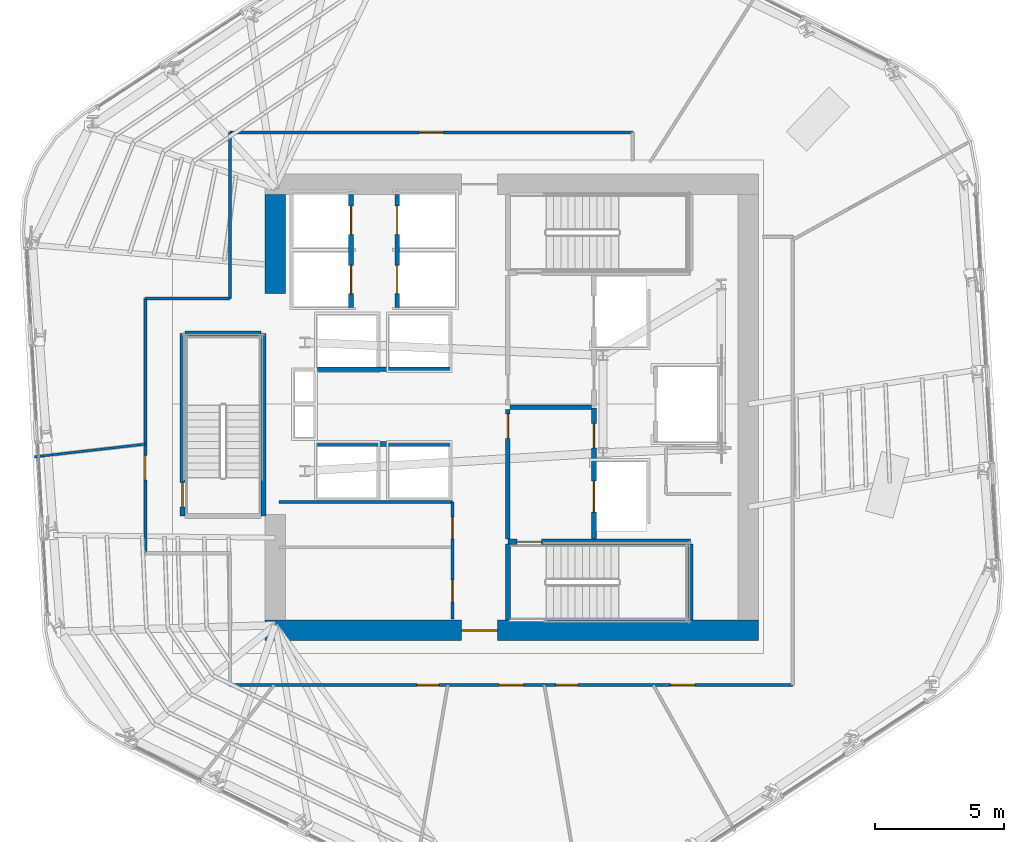
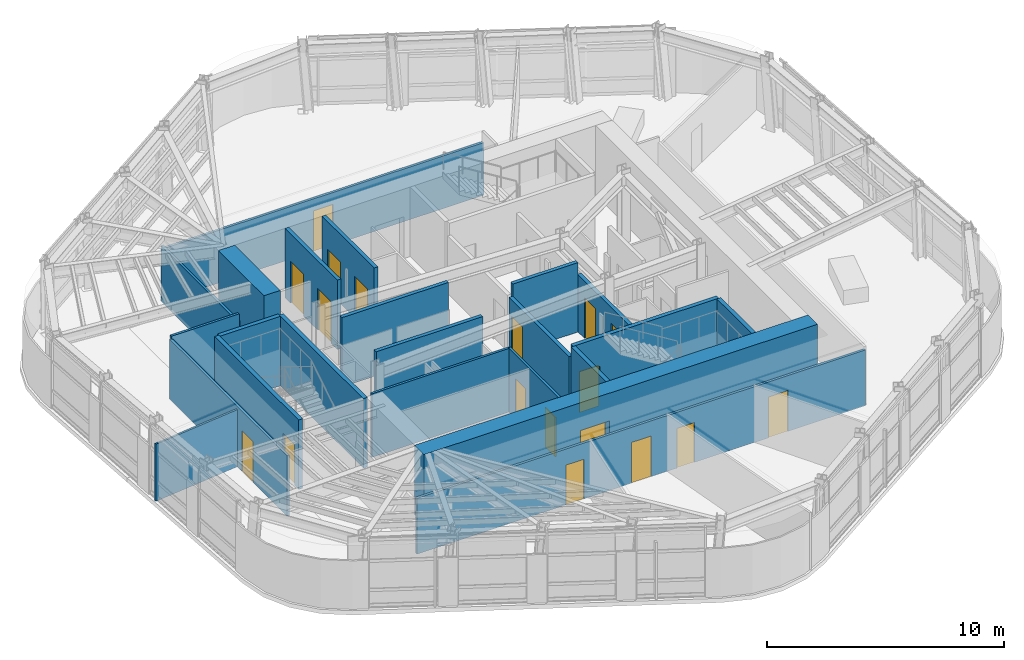
# One storey, part 8 of 15: 23 walls, 18 doors, 18 openings.
"""IFC4 building model written with IfcOpenShell, lengths in metres."""

from ifc_helpers import new_model, si_unit, direction, frame, frame_2d, origin, place, context, subcontext, project, spatial, rectangle, extrude, material, layer, layer_set, type_object, element, fill, save


model = new_model("IFC4")

# Units and contexts
model_context = context("Model", 3, precision=1e-05, world=origin(), true_north=direction((0.0, 1.0)))
body_context = subcontext(model_context, "Body", "Model", "MODEL_VIEW")
ifc_project = project(units=[si_unit("LENGTHUNIT", "METRE"), si_unit("AREAUNIT", "SQUARE_METRE"), si_unit("VOLUMEUNIT", "CUBIC_METRE"), si_unit("PLANEANGLEUNIT", "RADIAN"), si_unit("MASSUNIT", "GRAM", prefix="KILO")], contexts=[model_context])

# Site, building, storey
site_placement = place(None, origin())
site = spatial("IfcSite", under=ifc_project, at=site_placement, CompositionType="ELEMENT")
building_placement = place(site_placement, origin())
building = spatial("IfcBuilding", under=site, at=building_placement, Name="Valkerne Bourse Tower", CompositionType="ELEMENT")
storey_placement = place(building_placement, frame((0.0, 0.0, 166.60009765625)))
storey = spatial("IfcBuildingStorey", under=building, at=storey_placement, Name="L42", CompositionType="ELEMENT", Elevation=166.60009765625)

# Wall, opening, door
ifc_material_1 = material(Name="Concrete C55/67", Category="concrete")
ifc_layer_1 = layer(ifc_material_1, 0.800048828125)
ifc_layer_set_1 = layer_set([ifc_layer_1], Name="Concrete C55/67")
wall_type_1 = type_object("IfcWallType", Name="W-CORE-800", PredefinedType="SHEAR", material=ifc_layer_set_1)
wall_1_placement = place(storey_placement, frame((37.199951171875, 18.199951171875, 0.0), z_axis=(0.0, 0.0, 1.0), x_axis=(1.0, 0.0, 0.0)))
wall_1 = element("IfcWall", 1, at=wall_1_placement, inside=storey, type_object=wall_type_1, Name="L42 Core Shear Wall SOUTH", PredefinedType="SHEAR", context=body_context, shape_type="SweptSolid", body=[
    extrude(rectangle(XDim=19.199951171875, YDim=0.800048828125, at=frame_2d((9.60009765625, 0.0))), origin(), (0.0, 0.0, 1.0), 3.579833984375),
])
opening_1_placement = place(wall_1_placement, frame((7.64990234375, 0.0, 0.0)))
opening_1 = element("IfcOpeningElement", 2, at=opening_1_placement, cuts=wall_1, Name="Opening D-PL-1400", PredefinedType="OPENING", context=body_context, shape_type="SweptSolid", body=[
    extrude(rectangle(XDim=1.39990234375, YDim=2.14990234375, at=frame_2d((0.699951171875, 1.074951171875))), frame((0.0, 0.409912109375, 0.0), z_axis=(0.0, -1.0, 0.0), x_axis=(1.0, 0.0, 0.0)), (0.0, 0.0, 1.0), 0.820068359375),
])
ifc_material_2 = material(Name="Galvanised Painted Steel", Category="steel")
door_type_1 = type_object("IfcDoorType", Name="DR-PLT-1400", OperationType="DOUBLE_DOOR_SINGLE_SWING", PredefinedType="DOOR", material=ifc_material_2)
door_1_placement = place(opening_1_placement, origin())
door_1 = element("IfcDoor", 3, at=door_1_placement, inside=storey, type_object=door_type_1, Name="L42 South Passenger Lift Hall Fire Door", OperationType="DOUBLE_DOOR_SINGLE_SWING", OverallHeight=2.14990234375, OverallWidth=1.39990234375, PredefinedType="DOOR", context=body_context, shape_type="SweptSolid", body=[
    extrude(rectangle(XDim=1.39990234375, YDim=2.14990234375, at=frame_2d((0.699951171875, 1.074951171875))), frame((0.0, 0.02490234375, 0.0), z_axis=(0.0, -1.0, 0.0), x_axis=(1.0, 0.0, 0.0)), (0.0, 0.0, 1.0), 0.050048828125),
])
fill(opening_1, door_1)

# Wall
wall_2_placement = place(storey_placement, frame((37.60009765625, 31.300048828125, 0.0), z_axis=(0.0, 0.0, 1.0), x_axis=(0.0, 1.0, 0.0)))
element("IfcWall", 4, at=wall_2_placement, inside=storey, type_object=wall_type_1, Name="L42 Core Shear Wall WEST-N", PredefinedType="SHEAR", context=body_context, shape_type="SweptSolid", body=[
    extrude(rectangle(XDim=3.849853515625, YDim=0.800048828125, at=frame_2d((1.9248046875, 0.0))), origin(), (0.0, 0.0, 1.0), 3.579833984375),
])

# Wall, openings, doors
ifc_material_3 = material(Name="Gypsum Board Steel-Stud Partition", Category="steel")
ifc_layer_2 = layer(ifc_material_3, 0.117919921875)
ifc_layer_set_2 = layer_set([ifc_layer_2], Name="Gypsum Board Steel-Stud Partition")
wall_type_2 = type_object("IfcWallType", Name="W-CORR-140", PredefinedType="PARTITIONING", material=ifc_layer_set_2)
wall_3_placement = place(storey_placement, frame((44.5, 18.64990234375, 0.0), z_axis=(0.0, 0.0, 1.0), x_axis=(0.0, 1.0, 0.0)))
wall_3 = element("IfcWall", 5, at=wall_3_placement, inside=storey, type_object=wall_type_2, Name="L42 LV7 Low-Bank East Wall", PredefinedType="PARTITIONING", context=body_context, shape_type="SweptSolid", body=[
    extrude(rectangle(XDim=4.550048828125, YDim=0.117919921875, at=frame_2d((2.27490234375, 0.0))), origin(), (0.0, 0.0, 1.0), 3.27978515625),
])
opening_2_placement = place(wall_3_placement, frame((0.64990234375, 0.0, 0.0)))
opening_2 = element("IfcOpeningElement", 6, at=opening_2_placement, cuts=wall_3, Name="Opening D-WC-900", PredefinedType="OPENING", context=body_context, shape_type="SweptSolid", body=[
    extrude(rectangle(XDim=0.860107421875, YDim=2.050048828125, at=frame_2d((0.43017578125, 1.02490234375))), frame((0.0, 0.06884765625, 0.0), z_axis=(0.0, -1.0, 0.0), x_axis=(1.0, 0.0, 0.0)), (0.0, 0.0, 1.0), 0.137939453125),
])
opening_3_placement = place(wall_3_placement, frame((3.10009765625, 0.0, 0.0)))
opening_3 = element("IfcOpeningElement", 7, at=opening_3_placement, cuts=wall_3, Name="Opening D-WC-900", PredefinedType="OPENING", context=body_context, shape_type="SweptSolid", body=[
    extrude(rectangle(XDim=0.860107421875, YDim=2.050048828125, at=frame_2d((0.43017578125, 1.02490234375))), frame((0.0, 0.06884765625, 0.0), z_axis=(0.0, -1.0, 0.0), x_axis=(1.0, 0.0, 0.0)), (0.0, 0.0, 1.0), 0.137939453125),
])
ifc_material_4 = material(Name="Architectural White Oak Timber", Category="wood")
door_type_2 = type_object("IfcDoorType", Name="DR-WC-900", OperationType="NOTDEFINED", PredefinedType="DOOR", material=ifc_material_4)
door_2_placement = place(opening_2_placement, origin())
door_2 = element("IfcDoor", 8, at=door_2_placement, inside=storey, type_object=door_type_2, Name="L42 Reprographics Office Door", OperationType="SINGLE_SWING_RIGHT", OverallHeight=2.050048828125, OverallWidth=0.860107421875, PredefinedType="DOOR", context=body_context, shape_type="SweptSolid", body=[
    extrude(rectangle(XDim=0.860107421875, YDim=2.050048828125, at=frame_2d((0.43017578125, 1.02490234375))), frame((0.0, 0.02490234375, 0.0), z_axis=(0.0, -1.0, 0.0), x_axis=(1.0, 0.0, 0.0)), (0.0, 0.0, 1.0), 0.050048828125),
])
fill(opening_2, door_2)
door_3_placement = place(opening_3_placement, origin())
door_3 = element("IfcDoor", 9, at=door_3_placement, inside=storey, type_object=door_type_2, Name="L42 First Aid Clinic Door", OperationType="SINGLE_SWING_RIGHT", OverallHeight=2.050048828125, OverallWidth=0.860107421875, PredefinedType="DOOR", context=body_context, shape_type="SweptSolid", body=[
    extrude(rectangle(XDim=0.860107421875, YDim=2.050048828125, at=frame_2d((0.43017578125, 1.02490234375))), frame((0.0, 0.02490234375, 0.0), z_axis=(0.0, -1.0, 0.0), x_axis=(1.0, 0.0, 0.0)), (0.0, 0.0, 1.0), 0.050048828125),
])
fill(opening_3, door_3)

# Wall
wall_4_placement = place(storey_placement, frame((37.75, 23.199951171875, 0.0), z_axis=(0.0, 0.0, 1.0), x_axis=(1.0, 0.0, 0.0)))
element("IfcWall", 10, at=wall_4_placement, inside=storey, type_object=wall_type_2, Name="L42 LV7 Low-Bank North Wall", PredefinedType="PARTITIONING", context=body_context, shape_type="SweptSolid", body=[
    extrude(rectangle(XDim=6.75, YDim=0.117919921875, at=frame_2d((3.375, 0.0))), origin(), (0.0, 0.0, 1.0), 3.27978515625),
])

# Wall, opening, door
wall_5_placement = place(storey_placement, frame((32.550048828125, 21.199951171875, 0.0), z_axis=(0.0, 0.0, 1.0), x_axis=(0.0, 1.0, 0.0)))
wall_5 = element("IfcWall", 11, at=wall_5_placement, inside=storey, type_object=wall_type_2, Name="L42 Corridor Enclosure Wall", PredefinedType="PARTITIONING", context=body_context, shape_type="SweptSolid", body=[
    extrude(rectangle(XDim=9.900146484375, YDim=0.117919921875, at=frame_2d((4.9501953125, 0.0))), origin(), (0.0, 0.0, 1.0), 3.11279296875),
])
opening_4_placement = place(wall_5_placement, frame((2.85498046875, 0.0, 0.0)))
opening_4 = element("IfcOpeningElement", 12, at=opening_4_placement, cuts=wall_5, Name="Opening D-OF-950", PredefinedType="OPENING", context=body_context, shape_type="SweptSolid", body=[
    extrude(rectangle(XDim=0.949951171875, YDim=2.10009765625, at=frame_2d((0.47509765625, 1.050048828125))), frame((0.0, 0.06884765625, 0.0), z_axis=(0.0, -1.0, 0.0), x_axis=(1.0, 0.0, 0.0)), (0.0, 0.0, 1.0), 0.137939453125),
])
door_type_3 = type_object("IfcDoorType", Name="DR-OFF-950", OperationType="NOTDEFINED", PredefinedType="DOOR", material=ifc_material_4)
door_4_placement = place(opening_4_placement, origin())
door_4 = element("IfcDoor", 13, at=door_4_placement, inside=storey, type_object=door_type_3, Name="L42 L42 Hospitality Catering Kitchen 4 Door", OperationType="SINGLE_SWING_LEFT", OverallHeight=2.10009765625, OverallWidth=0.949951171875, PredefinedType="DOOR", context=body_context, shape_type="SweptSolid", body=[
    extrude(rectangle(XDim=0.949951171875, YDim=2.10009765625, at=frame_2d((0.47509765625, 1.050048828125))), frame((0.0, 0.02490234375, 0.0), z_axis=(0.0, -1.0, 0.0), x_axis=(1.0, 0.0, 0.0)), (0.0, 0.0, 1.0), 0.050048828125),
])
fill(opening_4, door_4)

# Walls
wall_6_placement = place(storey_placement, frame((32.550048828125, 31.10009765625, 0.0), z_axis=(0.0, 0.0, 1.0), x_axis=(1.0, 0.0, 0.0)))
element("IfcWall", 14, at=wall_6_placement, inside=storey, type_object=wall_type_2, Name="L42 Corridor Enclosure Wall", PredefinedType="PARTITIONING", context=body_context, shape_type="SweptSolid", body=[
    extrude(rectangle(XDim=3.300048828125, YDim=0.117919921875, at=frame_2d((1.64990234375, 0.0))), origin(), (0.0, 0.0, 1.0), 3.27978515625),
])
wall_7_placement = place(storey_placement, frame((35.85009765625, 31.10009765625, 0.0), z_axis=(0.0, 0.0, 1.0), x_axis=(0.0, 1.0, 0.0)))
element("IfcWall", 15, at=wall_7_placement, inside=storey, type_object=wall_type_2, Name="L42 Corridor Enclosure Wall", PredefinedType="PARTITIONING", context=body_context, shape_type="SweptSolid", body=[
    extrude(rectangle(XDim=6.4599609375, YDim=0.117919921875, at=frame_2d((3.22998046875, 0.0))), origin(), (0.0, 0.0, 1.0), 2.87646484375),
])

# Wall, opening, door
wall_8_placement = place(storey_placement, frame((35.85009765625, 37.56005859375, 0.0), z_axis=(0.0, 0.0, 1.0), x_axis=(1.0, 0.0, 0.0)))
wall_8 = element("IfcWall", 16, at=wall_8_placement, inside=storey, type_object=wall_type_2, Name="L42 Corridor Enclosure Wall", PredefinedType="PARTITIONING", context=body_context, shape_type="SweptSolid", body=[
    extrude(rectangle(XDim=15.64990234375, YDim=0.117919921875, at=frame_2d((7.824951171875, 0.0))), origin(), (0.0, 0.0, 1.0), 2.71142578125),
])
opening_5_placement = place(wall_8_placement, frame((7.35009765625, 0.0, 0.0)))
opening_5 = element("IfcOpeningElement", 17, at=opening_5_placement, cuts=wall_8, Name="Opening D-OF-950", PredefinedType="OPENING", context=body_context, shape_type="SweptSolid", body=[
    extrude(rectangle(XDim=0.949951171875, YDim=2.10009765625, at=frame_2d((0.47509765625, 1.050048828125))), frame((0.0, 0.06884765625, 0.0), z_axis=(0.0, -1.0, 0.0), x_axis=(1.0, 0.0, 0.0)), (0.0, 0.0, 1.0), 0.137939453125),
])
door_5_placement = place(opening_5_placement, origin())
door_5 = element("IfcDoor", 18, at=door_5_placement, inside=storey, type_object=door_type_3, Name="L42 L42 Occupational Wellness Clinic 7 Door", OperationType="SINGLE_SWING_LEFT", OverallHeight=2.10009765625, OverallWidth=0.949951171875, PredefinedType="DOOR", context=body_context, shape_type="SweptSolid", body=[
    extrude(rectangle(XDim=0.949951171875, YDim=2.10009765625, at=frame_2d((0.47509765625, 1.050048828125))), frame((0.0, 0.02490234375, 0.0), z_axis=(0.0, -1.0, 0.0), x_axis=(1.0, 0.0, 0.0)), (0.0, 0.0, 1.0), 0.050048828125),
])
fill(opening_5, door_5)

# Wall, openings, doors
wall_9_placement = place(storey_placement, frame((57.719970703125, 16.080078125, 0.0), z_axis=(0.0, 0.0, 1.0), x_axis=(-1.0, 0.0, 0.0)))
wall_9 = element("IfcWall", 19, at=wall_9_placement, inside=storey, type_object=wall_type_2, Name="L42 Corridor Enclosure Wall", PredefinedType="PARTITIONING", context=body_context, shape_type="SweptSolid", body=[
    extrude(rectangle(XDim=21.869873046875, YDim=0.117919921875, at=frame_2d((10.93505859375, 0.0))), origin(), (0.0, 0.0, 1.0), 2.87646484375),
])
opening_6_placement = place(wall_9_placement, frame((8.344970703125, 0.0, 0.0)))
opening_6 = element("IfcOpeningElement", 20, at=opening_6_placement, cuts=wall_9, Name="Opening D-WC-900", PredefinedType="OPENING", context=body_context, shape_type="SweptSolid", body=[
    extrude(rectangle(XDim=0.860107421875, YDim=2.050048828125, at=frame_2d((0.43017578125, 1.02490234375))), frame((0.0, 0.06884765625, 0.0), z_axis=(0.0, -1.0, 0.0), x_axis=(1.0, 0.0, 0.0)), (0.0, 0.0, 1.0), 0.137939453125),
])
opening_7_placement = place(wall_9_placement, frame((13.7451171875, 0.0, 0.0)))
opening_7 = element("IfcOpeningElement", 21, at=opening_7_placement, cuts=wall_9, Name="Opening D-WC-900", PredefinedType="OPENING", context=body_context, shape_type="SweptSolid", body=[
    extrude(rectangle(XDim=0.860107421875, YDim=2.050048828125, at=frame_2d((0.43017578125, 1.02490234375))), frame((0.0, 0.06884765625, 0.0), z_axis=(0.0, -1.0, 0.0), x_axis=(1.0, 0.0, 0.0)), (0.0, 0.0, 1.0), 0.137939453125),
])
opening_8_placement = place(wall_9_placement, frame((10.4599609375, 0.0, 0.0)))
opening_8 = element("IfcOpeningElement", 22, at=opening_8_placement, cuts=wall_9, Name="Opening D-OF-950", PredefinedType="OPENING", context=body_context, shape_type="SweptSolid", body=[
    extrude(rectangle(XDim=0.949951171875, YDim=2.10009765625, at=frame_2d((0.47509765625, 1.050048828125))), frame((0.0, 0.06884765625, 0.0), z_axis=(0.0, -1.0, 0.0), x_axis=(1.0, 0.0, 0.0)), (0.0, 0.0, 1.0), 0.137939453125),
])
opening_9_placement = place(wall_9_placement, frame((3.800048828125, 0.0, 0.0)))
opening_9 = element("IfcOpeningElement", 23, at=opening_9_placement, cuts=wall_9, Name="Opening D-OF-950", PredefinedType="OPENING", context=body_context, shape_type="SweptSolid", body=[
    extrude(rectangle(XDim=0.949951171875, YDim=2.10009765625, at=frame_2d((0.47509765625, 1.050048828125))), frame((0.0, 0.06884765625, 0.0), z_axis=(0.0, -1.0, 0.0), x_axis=(1.0, 0.0, 0.0)), (0.0, 0.0, 1.0), 0.137939453125),
])
door_6_placement = place(opening_8_placement, origin())
door_6 = element("IfcDoor", 24, at=door_6_placement, inside=storey, type_object=door_type_3, Name="L42 L42 Hospitality Catering Kitchen 3 Door", OperationType="SINGLE_SWING_LEFT", OverallHeight=2.10009765625, OverallWidth=0.949951171875, PredefinedType="DOOR", context=body_context, shape_type="SweptSolid", body=[
    extrude(rectangle(XDim=0.949951171875, YDim=2.10009765625, at=frame_2d((0.47509765625, 1.050048828125))), frame((0.0, 0.02490234375, 0.0), z_axis=(0.0, -1.0, 0.0), x_axis=(1.0, 0.0, 0.0)), (0.0, 0.0, 1.0), 0.050048828125),
])
fill(opening_8, door_6)
door_7_placement = place(opening_9_placement, origin())
door_7 = element("IfcDoor", 25, at=door_7_placement, inside=storey, type_object=door_type_3, Name="L42 L42 Executive Advisory Suite Office 6 Door", OperationType="SINGLE_SWING_LEFT", OverallHeight=2.10009765625, OverallWidth=0.949951171875, PredefinedType="DOOR", context=body_context, shape_type="SweptSolid", body=[
    extrude(rectangle(XDim=0.949951171875, YDim=2.10009765625, at=frame_2d((0.47509765625, 1.050048828125))), frame((0.0, 0.02490234375, 0.0), z_axis=(0.0, -1.0, 0.0), x_axis=(1.0, 0.0, 0.0)), (0.0, 0.0, 1.0), 0.050048828125),
])
fill(opening_9, door_7)
door_8_placement = place(opening_6_placement, origin())
door_8 = element("IfcDoor", 26, at=door_8_placement, inside=storey, type_object=door_type_2, Name="L42 L42 Men Bathroom WC 1 Door", OperationType="SINGLE_SWING_RIGHT", OverallHeight=2.050048828125, OverallWidth=0.860107421875, PredefinedType="DOOR", context=body_context, shape_type="SweptSolid", body=[
    extrude(rectangle(XDim=0.860107421875, YDim=2.050048828125, at=frame_2d((0.43017578125, 1.02490234375))), frame((0.0, 0.02490234375, 0.0), z_axis=(0.0, -1.0, 0.0), x_axis=(1.0, 0.0, 0.0)), (0.0, 0.0, 1.0), 0.050048828125),
])
fill(opening_6, door_8)
door_9_placement = place(opening_7_placement, origin())
door_9 = element("IfcDoor", 27, at=door_9_placement, inside=storey, type_object=door_type_2, Name="L42 L42 Women Restroom & Shower WC 2 Door", OperationType="SINGLE_SWING_LEFT", OverallHeight=2.050048828125, OverallWidth=0.860107421875, PredefinedType="DOOR", context=body_context, shape_type="SweptSolid", body=[
    extrude(rectangle(XDim=0.860107421875, YDim=2.050048828125, at=frame_2d((0.43017578125, 1.02490234375))), frame((0.0, 0.02490234375, 0.0), z_axis=(0.0, -1.0, 0.0), x_axis=(1.0, 0.0, 0.0)), (0.0, 0.0, 1.0), 0.050048828125),
])
fill(opening_7, door_9)

# Wall
ifc_material_5 = material(Name="Gypsum Fire-Rated Shaftwall", Category="gypsum")
ifc_layer_3 = layer(ifc_material_5, 0.179931640625)
ifc_layer_set_3 = layer_set([ifc_layer_3], Name="Gypsum Fire-Rated Shaftwall")
wall_type_3 = type_object("IfcWallType", Name="W-FSAE-180", PredefinedType="PARTITIONING", material=ifc_layer_set_3)
wall_10_placement = place(storey_placement, frame((46.739990234375, 26.8798828125, 0.0), z_axis=(0.0, 0.0, 1.0), x_axis=(1.0, 0.0, 0.0)))
element("IfcWall", 28, at=wall_10_placement, inside=storey, type_object=wall_type_3, Name="L42 FSAE-1/2 Lobby Dividing Fire Wall", PredefinedType="PARTITIONING", context=body_context, shape_type="SweptSolid", body=[
    extrude(rectangle(XDim=3.169921875, YDim=0.179931640625, at=frame_2d((1.5849609375, 0.0))), origin(), (0.0, 0.0, 1.0), 3.579833984375),
])

# Wall, opening, door
wall_11_placement = place(storey_placement, frame((46.64990234375, 21.75, 0.0), z_axis=(0.0, 0.0, 1.0), x_axis=(0.0, 1.0, 0.0)))
wall_11 = element("IfcWall", 29, at=wall_11_placement, inside=storey, type_object=wall_type_3, Name="L42 FSAE-1 Lobby West Fire Wall", PredefinedType="PARTITIONING", context=body_context, shape_type="SweptSolid", body=[
    extrude(rectangle(XDim=5.050048828125, YDim=0.179931640625, at=frame_2d((2.52490234375, 0.0))), origin(), (0.0, 0.0, 1.0), 2.9580078125),
])
opening_10_placement = place(wall_11_placement, frame((3.919921875, 0.0, 0.0)))
opening_10 = element("IfcOpeningElement", 30, at=opening_10_placement, cuts=wall_11, Name="Opening D-FS-950", PredefinedType="OPENING", context=body_context, shape_type="SweptSolid", body=[
    extrude(rectangle(XDim=0.949951171875, YDim=2.10009765625, at=frame_2d((0.47509765625, 1.050048828125))), frame((0.0, 0.099853515625, 0.0), z_axis=(0.0, -1.0, 0.0), x_axis=(1.0, 0.0, 0.0)), (0.0, 0.0, 1.0), 0.199951171875),
])
door_type_4 = type_object("IfcDoorType", Name="DR-FSAE-950", OperationType="NOTDEFINED", PredefinedType="DOOR", material=ifc_material_2)
door_10_placement = place(opening_10_placement, origin())
door_10 = element("IfcDoor", 31, at=door_10_placement, inside=storey, type_object=door_type_4, Name="L42 FSAE-1 Hall Link Fire Door", OperationType="SINGLE_SWING_RIGHT", OverallHeight=2.10009765625, OverallWidth=0.949951171875, PredefinedType="DOOR", context=body_context, shape_type="SweptSolid", body=[
    extrude(rectangle(XDim=0.949951171875, YDim=2.10009765625, at=frame_2d((0.47509765625, 1.050048828125))), frame((0.0, 0.02490234375, 0.0), z_axis=(0.0, -1.0, 0.0), x_axis=(1.0, 0.0, 0.0)), (0.0, 0.0, 1.0), 0.050048828125),
])
fill(opening_10, door_10)

# Wall, openings, doors
wall_12_placement = place(storey_placement, frame((50.0, 21.75, 0.0), z_axis=(0.0, 0.0, 1.0), x_axis=(0.0, 1.0, 0.0)))
wall_12 = element("IfcWall", 32, at=wall_12_placement, inside=storey, type_object=wall_type_3, Name="L42 FSAE-1 Lobby & Shaft Front Wall", PredefinedType="PARTITIONING", context=body_context, shape_type="SweptSolid", body=[
    extrude(rectangle(XDim=5.090087890625, YDim=0.179931640625, at=frame_2d((2.544921875, 0.0))), origin(), (0.0, 0.0, 1.0), 2.9580078125),
])
opening_11_placement = place(wall_12_placement, frame((1.050048828125, 0.0, 0.0)))
opening_11 = element("IfcOpeningElement", 33, at=opening_11_placement, cuts=wall_12, Name="Opening LD-1200", PredefinedType="OPENING", context=body_context, shape_type="SweptSolid", body=[
    extrude(rectangle(XDim=1.199951171875, YDim=2.14990234375, at=frame_2d((0.60009765625, 1.074951171875))), frame((0.0, 0.099853515625, 0.0), z_axis=(0.0, -1.0, 0.0), x_axis=(1.0, 0.0, 0.0)), (0.0, 0.0, 1.0), 0.199951171875),
])
opening_12_placement = place(wall_12_placement, frame((3.550048828125, 0.0, 0.0)))
opening_12 = element("IfcOpeningElement", 34, at=opening_12_placement, cuts=wall_12, Name="Opening D-FS-950", PredefinedType="OPENING", context=body_context, shape_type="SweptSolid", body=[
    extrude(rectangle(XDim=0.949951171875, YDim=2.10009765625, at=frame_2d((0.47509765625, 1.050048828125))), frame((0.0, 0.099853515625, 0.0), z_axis=(0.0, -1.0, 0.0), x_axis=(1.0, 0.0, 0.0)), (0.0, 0.0, 1.0), 0.199951171875),
])
door_11_placement = place(opening_12_placement, origin())
door_11 = element("IfcDoor", 35, at=door_11_placement, inside=storey, type_object=door_type_4, Name="L42 FSAE-1 Lobby Corridor Fire Door", OperationType="SINGLE_SWING_RIGHT", OverallHeight=2.10009765625, OverallWidth=0.949951171875, PredefinedType="DOOR", context=body_context, shape_type="SweptSolid", body=[
    extrude(rectangle(XDim=0.949951171875, YDim=2.10009765625, at=frame_2d((0.47509765625, 1.050048828125))), frame((0.0, 0.02490234375, 0.0), z_axis=(0.0, -1.0, 0.0), x_axis=(1.0, 0.0, 0.0)), (0.0, 0.0, 1.0), 0.050048828125),
])
fill(opening_12, door_11)
ifc_material_6 = material(Name="Stainless Steel AISI 316", Category="steel")
door_type_5 = type_object("IfcDoorType", Name="DR-LIFT-1200", OperationType="DOUBLE_DOOR_SLIDING", PredefinedType="DOOR", material=ifc_material_6)
door_12_placement = place(opening_11_placement, origin())
door_12 = element("IfcDoor", 36, at=door_12_placement, inside=storey, type_object=door_type_5, Name="L42 FSAE-1 Firefighting Lift Landing Door", OperationType="DOUBLE_DOOR_SLIDING", OverallHeight=2.14990234375, OverallWidth=1.199951171875, PredefinedType="DOOR", context=body_context, shape_type="SweptSolid", body=[
    extrude(rectangle(XDim=1.199951171875, YDim=2.14990234375, at=frame_2d((0.60009765625, 1.074951171875))), frame((0.0, 0.02490234375, 0.0), z_axis=(0.0, -1.0, 0.0), x_axis=(1.0, 0.0, 0.0)), (0.0, 0.0, 1.0), 0.050048828125),
])
fill(opening_11, door_12)

ifc_material_7 = material(Name="CMU Blockwork Masonry 200mm", Category="masonry")
ifc_layer_4 = layer(ifc_material_7, 0.179931640625)
ifc_layer_set_4 = layer_set([ifc_layer_4], Name="CMU Blockwork Masonry 200mm")
wall_type_4 = type_object("IfcWallType", Name="W-LFT-180", PredefinedType="SOLIDWALL", material=ifc_layer_set_4)
wall_13_placement = place(storey_placement, frame((40.550048828125, 30.75, 0.0), z_axis=(0.0, 0.0, 1.0), x_axis=(0.0, 1.0, 0.0)))
wall_13 = element("IfcWall", 37, at=wall_13_placement, inside=storey, type_object=wall_type_4, Name="L42 Mid-Zone West Cars Front Wall", PredefinedType="SOLIDWALL", context=body_context, shape_type="SweptSolid", body=[
    extrude(rectangle(XDim=4.39990234375, YDim=0.179931640625, at=frame_2d((2.199951171875, 0.0))), origin(), (0.0, 0.0, 1.0), 3.579833984375),
])
opening_13_placement = place(wall_13_placement, frame((0.550048828125, 0.0, 0.0)))
opening_13 = element("IfcOpeningElement", 38, at=opening_13_placement, cuts=wall_13, Name="Opening LD-1100", PredefinedType="OPENING", context=body_context, shape_type="SweptSolid", body=[
    extrude(rectangle(XDim=1.10009765625, YDim=2.14990234375, at=frame_2d((0.550048828125, 1.074951171875))), frame((0.0, 0.099853515625, 0.0), z_axis=(0.0, -1.0, 0.0), x_axis=(1.0, 0.0, 0.0)), (0.0, 0.0, 1.0), 0.199951171875),
])
opening_14_placement = place(wall_13_placement, frame((2.85009765625, 0.0, 0.0)))
opening_14 = element("IfcOpeningElement", 39, at=opening_14_placement, cuts=wall_13, Name="Opening LD-1100", PredefinedType="OPENING", context=body_context, shape_type="SweptSolid", body=[
    extrude(rectangle(XDim=1.10009765625, YDim=2.14990234375, at=frame_2d((0.550048828125, 1.074951171875))), frame((0.0, 0.099853515625, 0.0), z_axis=(0.0, -1.0, 0.0), x_axis=(1.0, 0.0, 0.0)), (0.0, 0.0, 1.0), 0.199951171875),
])
door_type_6 = type_object("IfcDoorType", Name="DR-LIFT-1100", OperationType="DOUBLE_DOOR_SLIDING", PredefinedType="DOOR", material=ifc_material_6)
door_13_placement = place(opening_13_placement, origin())
door_13 = element("IfcDoor", 40, at=door_13_placement, inside=storey, type_object=door_type_6, Name="L42 Passenger Lift PL-M1 Sliding Landing Door", OperationType="DOUBLE_DOOR_SLIDING", OverallHeight=2.14990234375, OverallWidth=1.10009765625, PredefinedType="DOOR", context=body_context, shape_type="SweptSolid", body=[
    extrude(rectangle(XDim=1.10009765625, YDim=2.14990234375, at=frame_2d((0.550048828125, 1.074951171875))), frame((0.0, 0.02490234375, 0.0), z_axis=(0.0, -1.0, 0.0), x_axis=(1.0, 0.0, 0.0)), (0.0, 0.0, 1.0), 0.050048828125),
])
fill(opening_13, door_13)
door_14_placement = place(opening_14_placement, origin())
door_14 = element("IfcDoor", 41, at=door_14_placement, inside=storey, type_object=door_type_6, Name="L42 Passenger Lift PL-M2 Sliding Landing Door", OperationType="DOUBLE_DOOR_SLIDING", OverallHeight=2.14990234375, OverallWidth=1.10009765625, PredefinedType="DOOR", context=body_context, shape_type="SweptSolid", body=[
    extrude(rectangle(XDim=1.10009765625, YDim=2.14990234375, at=frame_2d((0.550048828125, 1.074951171875))), frame((0.0, 0.02490234375, 0.0), z_axis=(0.0, -1.0, 0.0), x_axis=(1.0, 0.0, 0.0)), (0.0, 0.0, 1.0), 0.050048828125),
])
fill(opening_14, door_14)

wall_14_placement = place(storey_placement, frame((42.35009765625, 30.75, 0.0), z_axis=(0.0, 0.0, 1.0), x_axis=(0.0, 1.0, 0.0)))
wall_14 = element("IfcWall", 42, at=wall_14_placement, inside=storey, type_object=wall_type_4, Name="L42 Mid-Zone East Cars Front Wall", PredefinedType="SOLIDWALL", context=body_context, shape_type="SweptSolid", body=[
    extrude(rectangle(XDim=4.39990234375, YDim=0.179931640625, at=frame_2d((2.199951171875, 0.0))), origin(), (0.0, 0.0, 1.0), 3.579833984375),
])
opening_15_placement = place(wall_14_placement, frame((0.550048828125, 0.0, 0.0)))
opening_15 = element("IfcOpeningElement", 43, at=opening_15_placement, cuts=wall_14, Name="Opening LD-1100", PredefinedType="OPENING", context=body_context, shape_type="SweptSolid", body=[
    extrude(rectangle(XDim=1.10009765625, YDim=2.14990234375, at=frame_2d((0.550048828125, 1.074951171875))), frame((0.0, 0.099853515625, 0.0), z_axis=(0.0, -1.0, 0.0), x_axis=(1.0, 0.0, 0.0)), (0.0, 0.0, 1.0), 0.199951171875),
])
opening_16_placement = place(wall_14_placement, frame((2.85009765625, 0.0, 0.0)))
opening_16 = element("IfcOpeningElement", 44, at=opening_16_placement, cuts=wall_14, Name="Opening LD-1100", PredefinedType="OPENING", context=body_context, shape_type="SweptSolid", body=[
    extrude(rectangle(XDim=1.10009765625, YDim=2.14990234375, at=frame_2d((0.550048828125, 1.074951171875))), frame((0.0, 0.099853515625, 0.0), z_axis=(0.0, -1.0, 0.0), x_axis=(1.0, 0.0, 0.0)), (0.0, 0.0, 1.0), 0.199951171875),
])
door_15_placement = place(opening_15_placement, origin())
door_15 = element("IfcDoor", 45, at=door_15_placement, inside=storey, type_object=door_type_6, Name="L42 Passenger Lift PL-M3 Sliding Landing Door", OperationType="DOUBLE_DOOR_SLIDING", OverallHeight=2.14990234375, OverallWidth=1.10009765625, PredefinedType="DOOR", context=body_context, shape_type="SweptSolid", body=[
    extrude(rectangle(XDim=1.10009765625, YDim=2.14990234375, at=frame_2d((0.550048828125, 1.074951171875))), frame((0.0, 0.02490234375, 0.0), z_axis=(0.0, -1.0, 0.0), x_axis=(1.0, 0.0, 0.0)), (0.0, 0.0, 1.0), 0.050048828125),
])
fill(opening_15, door_15)
door_16_placement = place(opening_16_placement, origin())
door_16 = element("IfcDoor", 46, at=door_16_placement, inside=storey, type_object=door_type_6, Name="L42 Passenger Lift PL-M4 Sliding Landing Door", OperationType="DOUBLE_DOOR_SLIDING", OverallHeight=2.14990234375, OverallWidth=1.10009765625, PredefinedType="DOOR", context=body_context, shape_type="SweptSolid", body=[
    extrude(rectangle(XDim=1.10009765625, YDim=2.14990234375, at=frame_2d((0.550048828125, 1.074951171875))), frame((0.0, 0.02490234375, 0.0), z_axis=(0.0, -1.0, 0.0), x_axis=(1.0, 0.0, 0.0)), (0.0, 0.0, 1.0), 0.050048828125),
])
fill(opening_16, door_16)

# Walls
for number, where, z_axis, x_axis, name in (
    (47, (39.25, 25.449951171875, 0.0), (0.0, 0.0, 1.0), (1.0, 0.0, 0.0), "L42 High-Zone South Cars Front Wall"),
    (48, (39.25, 28.35009765625, 0.0), (0.0, 0.0, 1.0), (1.0, 0.0, 0.0), "L42 High-Zone North Cars Front Wall"),
):
    element("IfcWall", number, at=place(storey_placement, frame(where, z_axis=z_axis, x_axis=x_axis)), inside=storey, type_object=wall_type_4, Name=name, PredefinedType="SOLIDWALL", context=body_context, shape_type="SweptSolid", body=[
        extrude(rectangle(XDim=5.199951171875, YDim=0.179931640625, at=frame_2d((2.60009765625, 0.0))), origin(), (0.0, 0.0, 1.0), 3.579833984375),
    ])
ifc_layer_5 = layer(ifc_material_3, 0.092041015625)
ifc_layer_set_5 = layer_set([ifc_layer_5], Name="Gypsum Board Steel-Stud Partition")
wall_type_5 = type_object("IfcWallType", Name="W-PART-115", PredefinedType="PARTITIONING", material=ifc_layer_set_5)
wall_15_placement = place(storey_placement, frame((32.544921875, 25.441162109375, 0.0), z_axis=(0.0, 0.0, 1.0), x_axis=(-0.993547374261, -0.113417878212, 0.0)))
element("IfcWall", 49, at=wall_15_placement, inside=storey, type_object=wall_type_5, Name="L42 Suite Partition P06", PredefinedType="PARTITIONING", context=body_context, shape_type="SweptSolid", body=[
    extrude(rectangle(XDim=4.333251953125, YDim=0.092041015625, at=frame_2d((2.16650390625, 0.0))), origin(), (0.0, 0.0, 1.0), 2.9423828125),
])

# Wall, opening, door
ifc_material_8 = material(Name="Concrete C40/50", Category="concrete")
ifc_layer_6 = layer(ifc_material_8, 0.199951171875)
ifc_layer_set_6 = layer_set([ifc_layer_6], Name="Concrete C40/50")
wall_type_6 = type_object("IfcWallType", Name="W-SHF-200", PredefinedType="SHEAR", material=ifc_layer_set_6)
wall_16_placement = place(storey_placement, frame((46.64990234375, 21.64990234375, 0.0), z_axis=(0.0, 0.0, 1.0), x_axis=(1.0, 0.0, 0.0)))
wall_16 = element("IfcWall", 50, at=wall_16_placement, inside=storey, type_object=wall_type_6, Name="L42 Exit Stair ST-1 Structural Shaft Wall North", PredefinedType="SHEAR", context=body_context, shape_type="SweptSolid", body=[
    extrude(rectangle(XDim=7.10009765625, YDim=0.199951171875, at=frame_2d((3.550048828125, 0.0))), origin(), (0.0, 0.0, 1.0), 3.579833984375),
])
opening_17_placement = place(wall_16_placement, frame((0.35009765625, 0.0, 0.0)))
opening_17 = element("IfcOpeningElement", 51, at=opening_17_placement, cuts=wall_16, Name="Opening D-ST-950", PredefinedType="OPENING", context=body_context, shape_type="SweptSolid", body=[
    extrude(rectangle(XDim=0.949951171875, YDim=2.10009765625, at=frame_2d((0.47509765625, 1.050048828125))), frame((0.0, 0.10986328125, 0.0), z_axis=(0.0, -1.0, 0.0), x_axis=(1.0, 0.0, 0.0)), (0.0, 0.0, 1.0), 0.219970703125),
])
door_type_7 = type_object("IfcDoorType", Name="DR-STAIR-950", OperationType="NOTDEFINED", PredefinedType="DOOR", material=ifc_material_2)
door_17_placement = place(opening_17_placement, origin())
door_17 = element("IfcDoor", 52, at=door_17_placement, inside=storey, type_object=door_type_7, Name="L42 Exit Stair ST-1 Door", OperationType="SINGLE_SWING_LEFT", OverallHeight=2.10009765625, OverallWidth=0.949951171875, PredefinedType="DOOR", context=body_context, shape_type="SweptSolid", body=[
    extrude(rectangle(XDim=0.949951171875, YDim=2.10009765625, at=frame_2d((0.47509765625, 1.050048828125))), frame((0.0, 0.02490234375, 0.0), z_axis=(0.0, -1.0, 0.0), x_axis=(1.0, 0.0, 0.0)), (0.0, 0.0, 1.0), 0.050048828125),
])
fill(opening_17, door_17)

# Walls
for number, where, z_axis, x_axis, name in (
    (53, (46.64990234375, 18.60009765625, 0.0), (0.0, 0.0, 1.0), (0.0, 1.0, 0.0), "L42 Exit Stair ST-1 Structural Shaft Wall West"),
    (54, (53.75, 18.60009765625, 0.0), (0.0, 0.0, 1.0), (0.0, 1.0, 0.0), "L42 Exit Stair ST-1 Structural Shaft Wall East"),
):
    element("IfcWall", number, at=place(storey_placement, frame(where, z_axis=z_axis, x_axis=x_axis)), inside=storey, type_object=wall_type_6, Name=name, PredefinedType="SHEAR", context=body_context, shape_type="SweptSolid", body=[
        extrude(rectangle(XDim=2.949951171875, YDim=0.199951171875, at=frame_2d((1.47509765625, 0.0))), origin(), (0.0, 0.0, 1.0), 3.579833984375),
    ])

# Wall, opening, door
wall_17_placement = place(storey_placement, frame((34.0, 22.64990234375, 0.0), z_axis=(0.0, 0.0, 1.0), x_axis=(0.0, 1.0, 0.0)))
wall_17 = element("IfcWall", 55, at=wall_17_placement, inside=storey, type_object=wall_type_6, Name="L42 Exit Stair ST-3 Structural Shaft Wall West", PredefinedType="SHEAR", context=body_context, shape_type="SweptSolid", body=[
    extrude(rectangle(XDim=7.10009765625, YDim=0.199951171875, at=frame_2d((3.550048828125, 0.0))), origin(), (0.0, 0.0, 1.0), 3.579833984375),
])
opening_18_placement = place(wall_17_placement, frame((0.35009765625, 0.0, 0.0)))
opening_18 = element("IfcOpeningElement", 56, at=opening_18_placement, cuts=wall_17, Name="Opening D-ST-950", PredefinedType="OPENING", context=body_context, shape_type="SweptSolid", body=[
    extrude(rectangle(XDim=0.949951171875, YDim=2.10009765625, at=frame_2d((0.47509765625, 1.050048828125))), frame((0.0, 0.10986328125, 0.0), z_axis=(0.0, -1.0, 0.0), x_axis=(1.0, 0.0, 0.0)), (0.0, 0.0, 1.0), 0.219970703125),
])
door_18_placement = place(opening_18_placement, origin())
door_18 = element("IfcDoor", 57, at=door_18_placement, inside=storey, type_object=door_type_7, Name="L42 Exit Stair ST-3 Door", OperationType="SINGLE_SWING_LEFT", OverallHeight=2.10009765625, OverallWidth=0.949951171875, PredefinedType="DOOR", context=body_context, shape_type="SweptSolid", body=[
    extrude(rectangle(XDim=0.949951171875, YDim=2.10009765625, at=frame_2d((0.47509765625, 1.050048828125))), frame((0.0, 0.02490234375, 0.0), z_axis=(0.0, -1.0, 0.0), x_axis=(1.0, 0.0, 0.0)), (0.0, 0.0, 1.0), 0.050048828125),
])
fill(opening_18, door_18)

# Walls
wall_18_placement = place(storey_placement, frame((34.10009765625, 29.75, 0.0), z_axis=(0.0, 0.0, 1.0), x_axis=(1.0, 0.0, 0.0)))
element("IfcWall", 58, at=wall_18_placement, inside=storey, type_object=wall_type_6, Name="L42 Exit Stair ST-3 Structural Shaft Wall North", PredefinedType="SHEAR", context=body_context, shape_type="SweptSolid", body=[
    extrude(rectangle(XDim=2.949951171875, YDim=0.199951171875, at=frame_2d((1.47509765625, 0.0))), origin(), (0.0, 0.0, 1.0), 3.579833984375),
])
wall_19_placement = place(storey_placement, frame((37.14990234375, 22.64990234375, 0.0), z_axis=(0.0, 0.0, 1.0), x_axis=(0.0, 1.0, 0.0)))
element("IfcWall", 59, at=wall_19_placement, inside=storey, type_object=wall_type_6, Name="L42 Exit Stair ST-3 Structural Shaft Wall East", PredefinedType="SHEAR", context=body_context, shape_type="SweptSolid", body=[
    extrude(rectangle(XDim=7.10009765625, YDim=0.199951171875, at=frame_2d((3.550048828125, 0.0))), origin(), (0.0, 0.0, 1.0), 3.579833984375),
])

save(model, "model.ifc")
